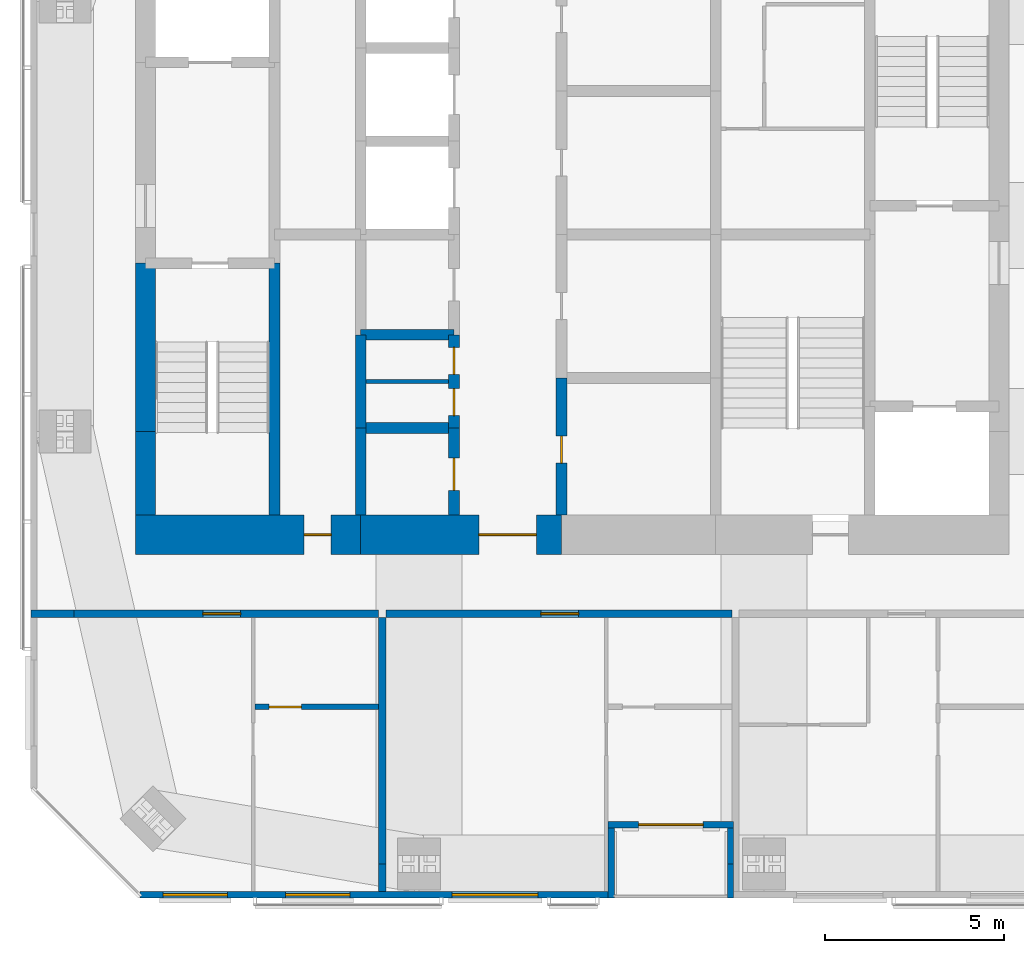
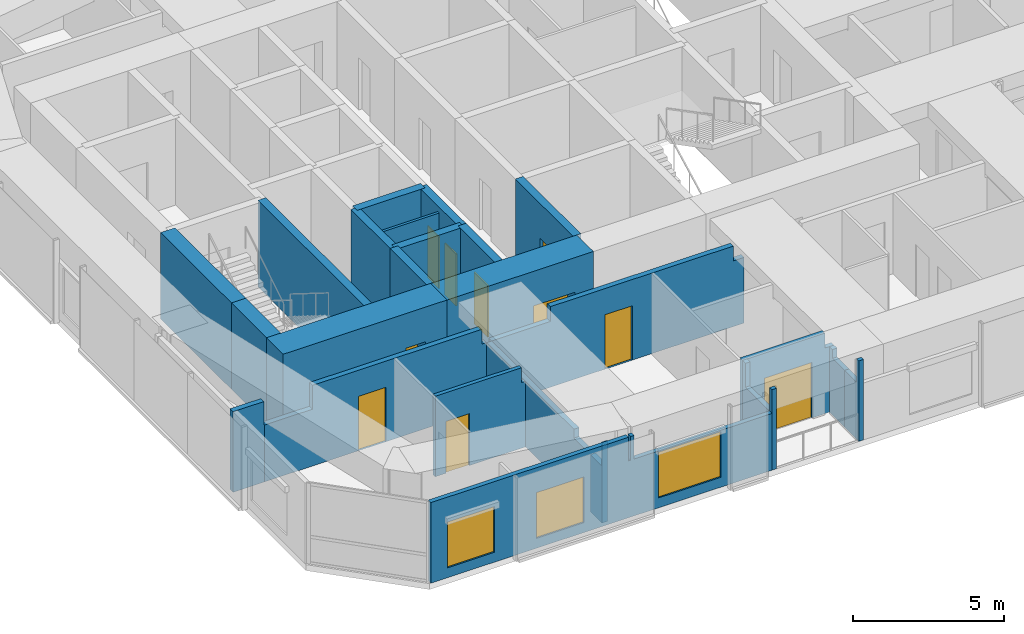
# One storey, part 14 of 20: 24 walls, 10 doors, 3 windows, 13 openings.
"""IFC4 building model written with IfcOpenShell, lengths in metres."""

from ifc_helpers import new_model, si_unit, direction, frame, frame_2d, origin, place, context, subcontext, project, spatial, polyline, rectangle, outline, extrude, material, layer, layer_set, constituent, constituent_set, type_object, element, fill, save


model = new_model("IFC4")

# Units and contexts
model_context = context("Model", 3, precision=1e-05, world=origin(), true_north=direction((0.0, 1.0)))
body_context = subcontext(model_context, "Body", "Model", "MODEL_VIEW")
ifc_project = project(units=[si_unit("LENGTHUNIT", "METRE"), si_unit("AREAUNIT", "SQUARE_METRE"), si_unit("VOLUMEUNIT", "CUBIC_METRE"), si_unit("PLANEANGLEUNIT", "RADIAN"), si_unit("MASSUNIT", "GRAM", prefix="KILO")], contexts=[model_context])

# Site, building, storey
site_placement = place(None, origin())
site = spatial("IfcSite", under=ifc_project, at=site_placement, CompositionType="ELEMENT")
building_placement = place(site_placement, origin())
building = spatial("IfcBuilding", under=site, at=building_placement, Name="Jalousie Tower", CompositionType="ELEMENT")
storey_placement = place(building_placement, frame((0.0, 0.0, 242.449951171875)))
storey = spatial("IfcBuildingStorey", under=building, at=storey_placement, Name="L66", CompositionType="ELEMENT", Elevation=242.449951171875)

# Wall, opening, door
ifc_material_1 = material(Name="Concrete block ASTM C90", Category="concrete")
ifc_constituent_1 = constituent(ifc_material_1, Name="Body")
ifc_material_2 = material(Name="Render")
ifc_constituent_2 = constituent(ifc_material_2, Name="Finish")
ifc_constituent_set_1 = constituent_set(constituents=[ifc_constituent_1, ifc_constituent_2])
wall_type_1 = type_object("IfcWallType", Name="BATHROOM WALL 150", PredefinedType="PLUMBINGWALL", material=ifc_constituent_set_1)
wall_1_placement = place(storey_placement, frame((23.050048828125, 5.324951171875, 0.0), z_axis=(0.0, 0.0, 1.0), x_axis=(1.0, 0.0, 0.0)))
wall_1 = element("IfcWall", 1, at=wall_1_placement, inside=storey, type_object=wall_type_1, Name="Bathroom Wall 150 L66", PredefinedType="PLUMBINGWALL", context=body_context, shape_type="SweptSolid", body=[
    extrude(outline(polyline([(0.0, 0.0), (3.449951171875, 0.0), (3.449951171875, 3.260009765625), (3.449951171875, 2.66015625), (3.2900390625, 2.66015625), (3.2900390625, 3.260009765625), (0.0, 3.260009765625), (0.0, 0.0)])), frame((0.0, 0.074951171875, 0.0), z_axis=(0.0, -1.0, 0.0), x_axis=(1.0, 0.0, 0.0)), (0.0, 0.0, 1.0), 0.14990234375),
])
opening_1_placement = place(wall_1_placement, frame((0.39990234375, 0.0, 0.0)))
opening_1 = element("IfcOpeningElement", 2, at=opening_1_placement, cuts=wall_1, Name="Opening D3", PredefinedType="OPENING", context=body_context, shape_type="SweptSolid", body=[
    extrude(rectangle(XDim=0.89990234375, YDim=2.10009765625, at=frame_2d((0.449951171875, 1.050048828125))), frame((0.0, 0.0849609375, 0.0), z_axis=(0.0, -1.0, 0.0), x_axis=(1.0, 0.0, 0.0)), (0.0, 0.0, 1.0), 0.169921875),
])
ifc_material_3 = material(Name="Timber door", Category="wood")
door_type_1 = type_object("IfcDoorType", Name="BATHROOM DOOR 900", OperationType="SINGLE_SWING_LEFT", PredefinedType="DOOR", material=ifc_material_3)
door_1_placement = place(opening_1_placement, origin())
door_1 = element("IfcDoor", 3, at=door_1_placement, inside=storey, type_object=door_type_1, Name="Apartment 6601 bedroom 1 bathroom door", OperationType="SINGLE_SWING_LEFT", OverallHeight=2.10009765625, OverallWidth=0.89990234375, PredefinedType="DOOR", context=body_context, shape_type="SweptSolid", body=[
    extrude(rectangle(XDim=0.89990234375, YDim=2.10009765625, at=frame_2d((0.449951171875, 1.050048828125))), frame((0.0, 0.02490234375, 0.0), z_axis=(0.0, -1.0, 0.0), x_axis=(1.0, 0.0, 0.0)), (0.0, 0.0, 1.0), 0.050048828125),
])
fill(opening_1, door_1)

ifc_material_4 = material(Name="Concrete f'c 120 MPa", Category="concrete")
ifc_layer_1 = layer(ifc_material_4, 1.10009765625)
ifc_layer_set_1 = layer_set([ifc_layer_1], Name="Concrete f'c 120 MPa")
wall_type_2 = type_object("IfcWallType", Name="CORE WALL 1100", PredefinedType="SHEAR", material=ifc_layer_set_1)
wall_2_placement = place(storey_placement, frame((19.72509765625, 10.125, 0.0), z_axis=(0.0, 0.0, 1.0), x_axis=(1.0, 0.0, 0.0)))
wall_2 = element("IfcWall", 4, at=wall_2_placement, inside=storey, type_object=wall_type_2, Name="Core wall SA L66", PredefinedType="SHEAR", context=body_context, shape_type="SweptSolid", body=[
    extrude(rectangle(XDim=6.27490234375, YDim=1.10009765625, at=frame_2d((3.137451171875, 0.0))), origin(), (0.0, 0.0, 1.0), 3.5),
])
opening_2_placement = place(wall_2_placement, frame((4.699951171875, 0.0, 0.0)))
opening_2 = element("IfcOpeningElement", 5, at=opening_2_placement, cuts=wall_2, Name="Opening D16", PredefinedType="OPENING", context=body_context, shape_type="SweptSolid", body=[
    extrude(rectangle(XDim=0.75, YDim=2.10009765625, at=frame_2d((0.375, 1.050048828125))), frame((0.0, 0.56005859375, 0.0), z_axis=(0.0, -1.0, 0.0), x_axis=(1.0, 0.0, 0.0)), (0.0, 0.0, 1.0), 1.1201171875),
])
ifc_material_5 = material(Name="Steel fire door", Category="steel")
door_type_2 = type_object("IfcDoorType", Name="RISER DOOR 750", OperationType="SINGLE_SWING_LEFT", PredefinedType="DOOR", material=ifc_material_5)
door_2_placement = place(opening_2_placement, origin())
door_2 = element("IfcDoor", 6, at=door_2_placement, inside=storey, type_object=door_type_2, Name="South riser door", OperationType="SINGLE_SWING_RIGHT", OverallHeight=2.10009765625, OverallWidth=0.75, PredefinedType="DOOR", context=body_context, shape_type="SweptSolid", body=[
    extrude(rectangle(XDim=0.75, YDim=2.10009765625, at=frame_2d((0.375, 1.050048828125))), frame((0.0, 0.02490234375, 0.0), z_axis=(0.0, -1.0, 0.0), x_axis=(1.0, 0.0, 0.0)), (0.0, 0.0, 1.0), 0.050048828125),
])
fill(opening_2, door_2)

wall_3_placement = place(storey_placement, frame((26.0, 10.125, 0.0), z_axis=(0.0, 0.0, 1.0), x_axis=(1.0, 0.0, 0.0)))
wall_3 = element("IfcWall", 7, at=wall_3_placement, inside=storey, type_object=wall_type_2, Name="Core wall SB L66", PredefinedType="SHEAR", context=body_context, shape_type="SweptSolid", body=[
    extrude(rectangle(XDim=5.60009765625, YDim=1.10009765625, at=frame_2d((2.800048828125, 0.0))), origin(), (0.0, 0.0, 1.0), 3.5),
])
opening_3_placement = place(wall_3_placement, frame((3.300048828125, 0.0, 0.0)))
opening_3 = element("IfcOpeningElement", 8, at=opening_3_placement, cuts=wall_3, Name="Opening D15", PredefinedType="OPENING", context=body_context, shape_type="SweptSolid", body=[
    extrude(rectangle(XDim=1.60009765625, YDim=2.10009765625, at=frame_2d((0.800048828125, 1.050048828125))), frame((0.0, 0.56005859375, 0.0), z_axis=(0.0, -1.0, 0.0), x_axis=(1.0, 0.0, 0.0)), (0.0, 0.0, 1.0), 1.1201171875),
])
ifc_material_6 = material(Name="Steel fire door", Category="steel")
door_type_3 = type_object("IfcDoorType", Name="LIFT LOBBY DOOR 1600", OperationType="DOUBLE_DOOR_SINGLE_SWING", PredefinedType="DOOR", material=ifc_material_6)
door_3_placement = place(opening_3_placement, origin())
door_3 = element("IfcDoor", 9, at=door_3_placement, inside=storey, type_object=door_type_3, Name="Lift lobby south door", OperationType="DOUBLE_DOOR_SINGLE_SWING", OverallHeight=2.10009765625, OverallWidth=1.60009765625, PredefinedType="DOOR", context=body_context, shape_type="SweptSolid", body=[
    extrude(rectangle(XDim=1.60009765625, YDim=2.10009765625, at=frame_2d((0.800048828125, 1.050048828125))), frame((0.0, 0.02490234375, 0.0), z_axis=(0.0, -1.0, 0.0), x_axis=(1.0, 0.0, 0.0)), (0.0, 0.0, 1.0), 0.050048828125),
])
fill(opening_3, door_3)

# Walls
ifc_material_7 = material(Name="Concrete f'c 120 MPa", Category="concrete")
ifc_layer_2 = layer(ifc_material_7, 0.300048828125)
ifc_layer_set_2 = layer_set([ifc_layer_2], Name="Concrete f'c 120 MPa")
wall_type_3 = type_object("IfcWallType", Name="CORE WALL 300", PredefinedType="SHEAR", material=ifc_layer_set_2)
wall_4_placement = place(storey_placement, frame((23.60009765625, 10.675048828125, 0.0), z_axis=(0.0, 0.0, 1.0), x_axis=(0.0, 1.0, 0.0)))
element("IfcWall", 10, at=wall_4_placement, inside=storey, type_object=wall_type_3, Name="Core wall X23.6A L66", PredefinedType="SHEAR", context=body_context, shape_type="SweptSolid", body=[
    extrude(rectangle(XDim=7.02490234375, YDim=0.300048828125, at=frame_2d((3.512451171875, 0.0))), origin(), (0.0, 0.0, 1.0), 3.5),
])
wall_5_placement = place(storey_placement, frame((26.0, 10.675048828125, 0.0), z_axis=(0.0, 0.0, 1.0), x_axis=(0.0, 1.0, 0.0)))
element("IfcWall", 11, at=wall_5_placement, inside=storey, type_object=wall_type_3, Name="Core wall X26A L66", PredefinedType="SHEAR", context=body_context, shape_type="SweptSolid", body=[
    extrude(rectangle(XDim=2.425048828125, YDim=0.300048828125, at=frame_2d((1.21240234375, 0.0))), origin(), (0.0, 0.0, 1.0), 3.5),
])
wall_6_placement = place(storey_placement, frame((26.0, 13.10009765625, 0.0), z_axis=(0.0, 0.0, 1.0), x_axis=(0.0, 1.0, 0.0)))
element("IfcWall", 12, at=wall_6_placement, inside=storey, type_object=wall_type_3, Name="Core wall X26B L66", PredefinedType="SHEAR", context=body_context, shape_type="SweptSolid", body=[
    extrude(rectangle(XDim=2.599853515625, YDim=0.300048828125, at=frame_2d((1.2998046875, 0.0))), origin(), (0.0, 0.0, 1.0), 3.5),
])

# Wall, opening, door
wall_7_placement = place(storey_placement, frame((28.60009765625, 10.675048828125, 0.0), z_axis=(0.0, 0.0, 1.0), x_axis=(0.0, 1.0, 0.0)))
wall_7 = element("IfcWall", 13, at=wall_7_placement, inside=storey, type_object=wall_type_3, Name="Core wall X28.6A L66", PredefinedType="SHEAR", context=body_context, shape_type="SweptSolid", body=[
    extrude(rectangle(XDim=2.425048828125, YDim=0.300048828125, at=frame_2d((1.21240234375, 0.0))), origin(), (0.0, 0.0, 1.0), 3.5),
])
opening_4_placement = place(wall_7_placement, frame((0.6875, 0.0, 0.0)))
opening_4 = element("IfcOpeningElement", 14, at=opening_4_placement, cuts=wall_7, Name="Opening D24", PredefinedType="OPENING", context=body_context, shape_type="SweptSolid", body=[
    extrude(rectangle(XDim=0.89990234375, YDim=2.10009765625, at=frame_2d((0.449951171875, 1.050048828125))), frame((0.0, 0.159912109375, 0.0), z_axis=(0.0, -1.0, 0.0), x_axis=(1.0, 0.0, 0.0)), (0.0, 0.0, 1.0), 0.320068359375),
])
ifc_material_8 = material(Name="Steel fire door", Category="steel")
door_type_4 = type_object("IfcDoorType", Name="CORE ROOM DOOR 900", OperationType="SINGLE_SWING_LEFT", PredefinedType="DOOR", material=ifc_material_8)
door_4_placement = place(opening_4_placement, origin())
door_4 = element("IfcDoor", 15, at=door_4_placement, inside=storey, type_object=door_type_4, Name="Linen store door", OperationType="SINGLE_SWING_RIGHT", OverallHeight=2.10009765625, OverallWidth=0.89990234375, PredefinedType="DOOR", context=body_context, shape_type="SweptSolid", body=[
    extrude(rectangle(XDim=0.89990234375, YDim=2.10009765625, at=frame_2d((0.449951171875, 1.050048828125))), frame((0.0, 0.02490234375, 0.0), z_axis=(0.0, -1.0, 0.0), x_axis=(1.0, 0.0, 0.0)), (0.0, 0.0, 1.0), 0.050048828125),
])
fill(opening_4, door_4)

# Wall, openings, doors
wall_8_placement = place(storey_placement, frame((28.60009765625, 13.10009765625, 0.0), z_axis=(0.0, 0.0, 1.0), x_axis=(0.0, 1.0, 0.0)))
wall_8 = element("IfcWall", 16, at=wall_8_placement, inside=storey, type_object=wall_type_3, Name="Core wall X28.6B L66", PredefinedType="SHEAR", context=body_context, shape_type="SweptSolid", body=[
    extrude(rectangle(XDim=2.599853515625, YDim=0.300048828125, at=frame_2d((1.2998046875, 0.0))), origin(), (0.0, 0.0, 1.0), 3.5),
])
opening_5_placement = place(wall_8_placement, frame((0.35009765625, 0.0, 0.0)))
opening_5 = element("IfcOpeningElement", 17, at=opening_5_placement, cuts=wall_8, Name="Opening D27", PredefinedType="OPENING", context=body_context, shape_type="SweptSolid", body=[
    extrude(rectangle(XDim=0.75, YDim=2.10009765625, at=frame_2d((0.375, 1.050048828125))), frame((0.0, 0.159912109375, 0.0), z_axis=(0.0, -1.0, 0.0), x_axis=(1.0, 0.0, 0.0)), (0.0, 0.0, 1.0), 0.320068359375),
])
opening_6_placement = place(wall_8_placement, frame((1.5, 0.0, 0.0)))
opening_6 = element("IfcOpeningElement", 18, at=opening_6_placement, cuts=wall_8, Name="Opening D27", PredefinedType="OPENING", context=body_context, shape_type="SweptSolid", body=[
    extrude(rectangle(XDim=0.75, YDim=2.10009765625, at=frame_2d((0.375, 1.050048828125))), frame((0.0, 0.159912109375, 0.0), z_axis=(0.0, -1.0, 0.0), x_axis=(1.0, 0.0, 0.0)), (0.0, 0.0, 1.0), 0.320068359375),
])
ifc_material_9 = material(Name="Steel fire door", Category="steel")
door_type_5 = type_object("IfcDoorType", Name="CORE ROOM DOOR 750", OperationType="SINGLE_SWING_LEFT", PredefinedType="DOOR", material=ifc_material_9)
door_5_placement = place(opening_5_placement, origin())
door_5 = element("IfcDoor", 19, at=door_5_placement, inside=storey, type_object=door_type_5, Name="Housekeeping store door", OperationType="SINGLE_SWING_RIGHT", OverallHeight=2.10009765625, OverallWidth=0.75, PredefinedType="DOOR", context=body_context, shape_type="SweptSolid", body=[
    extrude(rectangle(XDim=0.75, YDim=2.10009765625, at=frame_2d((0.375, 1.050048828125))), frame((0.0, 0.02490234375, 0.0), z_axis=(0.0, -1.0, 0.0), x_axis=(1.0, 0.0, 0.0)), (0.0, 0.0, 1.0), 0.050048828125),
])
fill(opening_5, door_5)
door_6_placement = place(opening_6_placement, origin())
door_6 = element("IfcDoor", 20, at=door_6_placement, inside=storey, type_object=door_type_5, Name="Staff WC door", OperationType="SINGLE_SWING_LEFT", OverallHeight=2.10009765625, OverallWidth=0.75, PredefinedType="DOOR", context=body_context, shape_type="SweptSolid", body=[
    extrude(rectangle(XDim=0.75, YDim=2.10009765625, at=frame_2d((0.375, 1.050048828125))), frame((0.0, 0.02490234375, 0.0), z_axis=(0.0, -1.0, 0.0), x_axis=(1.0, 0.0, 0.0)), (0.0, 0.0, 1.0), 0.050048828125),
])
fill(opening_6, door_6)

# Wall, opening, door
wall_9_placement = place(storey_placement, frame((31.60009765625, 10.675048828125, 0.0), z_axis=(0.0, 0.0, 1.0), x_axis=(0.0, 1.0, 0.0)))
wall_9 = element("IfcWall", 21, at=wall_9_placement, inside=storey, type_object=wall_type_3, Name="Core wall X31.6A L66", PredefinedType="SHEAR", context=body_context, shape_type="SweptSolid", body=[
    extrude(rectangle(XDim=3.824951171875, YDim=0.300048828125, at=frame_2d((1.91259765625, 0.0))), origin(), (0.0, 0.0, 1.0), 3.5),
])
opening_7_placement = place(wall_9_placement, frame((1.449951171875, 0.0, 0.0)))
opening_7 = element("IfcOpeningElement", 22, at=opening_7_placement, cuts=wall_9, Name="Opening D16", PredefinedType="OPENING", context=body_context, shape_type="SweptSolid", body=[
    extrude(rectangle(XDim=0.75, YDim=2.10009765625, at=frame_2d((0.375, 1.050048828125))), frame((0.0, 0.159912109375, 0.0), z_axis=(0.0, -1.0, 0.0), x_axis=(1.0, 0.0, 0.0)), (0.0, 0.0, 1.0), 0.320068359375),
])
door_7_placement = place(opening_7_placement, frame((0.75, 0.0, 0.0), z_axis=(0.0, 0.0, 1.0), x_axis=(-1.0, 0.0, 0.0)))
door_7 = element("IfcDoor", 23, at=door_7_placement, inside=storey, type_object=door_type_2, Name="Refuse Room door", OperationType="SINGLE_SWING_RIGHT", OverallHeight=2.10009765625, OverallWidth=0.75, PredefinedType="DOOR", context=body_context, shape_type="SweptSolid", body=[
    extrude(rectangle(XDim=0.75, YDim=2.10009765625, at=frame_2d((0.375, 1.050048828125))), frame((0.0, 0.02490234375, 0.0), z_axis=(0.0, -1.0, 0.0), x_axis=(1.0, 0.0, 0.0)), (0.0, 0.0, 1.0), 0.050048828125),
])
fill(opening_7, door_7)

# Walls
for number, where, z_axis, x_axis, name in (
    (24, (26.0, 13.10009765625, 0.0), (0.0, 0.0, 1.0), (1.0, 0.0, 0.0), "Core wall Y26-13.1 L66"),
    (25, (26.0, 15.699951171875, 0.0), (0.0, 0.0, 1.0), (1.0, 0.0, 0.0), "Core wall Y26-15.7 L66"),
):
    element("IfcWall", number, at=place(storey_placement, frame(where, z_axis=z_axis, x_axis=x_axis)), inside=storey, type_object=wall_type_3, Name=name, PredefinedType="SHEAR", context=body_context, shape_type="SweptSolid", body=[
        extrude(rectangle(XDim=2.60009765625, YDim=0.300048828125, at=frame_2d((1.300048828125, 0.0))), origin(), (0.0, 0.0, 1.0), 3.5),
    ])
ifc_material_10 = material(Name="Concrete f'c 120 MPa", Category="concrete")
ifc_layer_3 = layer(ifc_material_10, 0.550048828125)
ifc_layer_set_3 = layer_set([ifc_layer_3], Name="Concrete f'c 120 MPa")
wall_type_4 = type_object("IfcWallType", Name="CORE WALL 550", PredefinedType="SHEAR", material=ifc_layer_set_3)
wall_10_placement = place(storey_placement, frame((20.0, 17.699951171875, 0.0), z_axis=(0.0, 0.0, 1.0), x_axis=(0.0, -1.0, 0.0)))
element("IfcWall", 26, at=wall_10_placement, inside=storey, type_object=wall_type_4, Name="Core wall WC L66", PredefinedType="SHEAR", context=body_context, shape_type="SweptSolid", body=[
    extrude(rectangle(XDim=4.699951171875, YDim=0.550048828125, at=frame_2d((2.35009765625, 0.0))), origin(), (0.0, 0.0, 1.0), 3.5),
])
wall_11_placement = place(storey_placement, frame((20.0, 13.0, 0.0), z_axis=(0.0, 0.0, 1.0), x_axis=(0.0, -1.0, 0.0)))
element("IfcWall", 27, at=wall_11_placement, inside=storey, type_object=wall_type_4, Name="Core wall WD L66", PredefinedType="SHEAR", context=body_context, shape_type="SweptSolid", body=[
    extrude(rectangle(XDim=2.324951171875, YDim=0.550048828125, at=frame_2d((1.16259765625, 0.0))), origin(), (0.0, 0.0, 1.0), 3.5),
])

# Wall, opening, door
ifc_material_11 = material(Name="Concrete block ASTM C90", Category="concrete")
ifc_constituent_3 = constituent(ifc_material_11, Name="Body")
ifc_material_12 = material(Name="Render")
ifc_constituent_4 = constituent(ifc_material_12, Name="Finish")
ifc_constituent_set_2 = constituent_set(constituents=[ifc_constituent_3, ifc_constituent_4])
wall_type_5 = type_object("IfcWallType", Name="CORRIDOR WALL 200", PredefinedType="PARTITIONING", material=ifc_constituent_set_2)
wall_12_placement = place(storey_placement, frame((18.0, 7.925048828125, 0.0), z_axis=(0.0, 0.0, 1.0), x_axis=(1.0, 0.0, 0.0)))
wall_12 = element("IfcWall", 28, at=wall_12_placement, inside=storey, type_object=wall_type_5, Name="Corridor Wall 200 L66", PredefinedType="PARTITIONING", context=body_context, shape_type="SweptSolid", body=[
    extrude(outline(polyline([(0.0, 0.0), (8.5, 0.0), (8.5, 3.260009765625), (8.5, 2.66015625), (8.31494140625, 2.66015625), (8.31494140625, 3.260009765625), (1.838623046875, 3.260009765625), (1.838623046875, 2.300048828125), (0.0, 2.300048828125), (0.0, 3.260009765625), (0.0, 0.0)])), frame((0.0, 0.10009765625, 0.0), z_axis=(0.0, -1.0, 0.0), x_axis=(1.0, 0.0, 0.0)), (0.0, 0.0, 1.0), 0.199951171875),
])
opening_8_placement = place(wall_12_placement, frame((3.60009765625, 0.0, 0.0)))
opening_8 = element("IfcOpeningElement", 29, at=opening_8_placement, cuts=wall_12, Name="Opening D1", PredefinedType="OPENING", context=body_context, shape_type="SweptSolid", body=[
    extrude(rectangle(XDim=1.050048828125, YDim=2.199951171875, at=frame_2d((0.52490234375, 1.10009765625))), frame((0.0, 0.10986328125, 0.0), z_axis=(0.0, -1.0, 0.0), x_axis=(1.0, 0.0, 0.0)), (0.0, 0.0, 1.0), 0.219970703125),
])
ifc_material_13 = material(Name="Timber fire door", Category="wood")
door_type_6 = type_object("IfcDoorType", Name="APARTMENT ENTRANCE DOOR 1050", OperationType="SINGLE_SWING_LEFT", PredefinedType="DOOR", material=ifc_material_13)
door_8_placement = place(opening_8_placement, frame((1.050048828125, 0.0, 0.0), z_axis=(0.0, 0.0, 1.0), x_axis=(-1.0, 0.0, 0.0)))
door_8 = element("IfcDoor", 30, at=door_8_placement, inside=storey, type_object=door_type_6, Name="Apartment 6601 entrance", OperationType="SINGLE_SWING_LEFT", OverallHeight=2.199951171875, OverallWidth=1.050048828125, PredefinedType="DOOR", context=body_context, shape_type="SweptSolid", body=[
    extrude(rectangle(XDim=1.050048828125, YDim=2.199951171875, at=frame_2d((0.52490234375, 1.10009765625))), frame((0.0, 0.02490234375, 0.0), z_axis=(0.0, -1.0, 0.0), x_axis=(1.0, 0.0, 0.0)), (0.0, 0.0, 1.0), 0.050048828125),
])
fill(opening_8, door_8)

wall_13_placement = place(storey_placement, frame((26.699951171875, 7.925048828125, 0.0), z_axis=(0.0, 0.0, 1.0), x_axis=(1.0, 0.0, 0.0)))
wall_13 = element("IfcWall", 31, at=wall_13_placement, inside=storey, type_object=wall_type_5, Name="Corridor Wall 200 L66", PredefinedType="PARTITIONING", context=body_context, shape_type="SweptSolid", body=[
    extrude(outline(polyline([(0.0, 0.0), (9.650146484375, 0.0), (9.64990234375, 3.260009765625), (9.64990234375, 2.66015625), (9.239990234375, 2.66015625), (9.239990234375, 3.260009765625), (2.235107421875, 3.260009765625), (2.235107421875, 2.66015625), (0.0, 2.66015625), (0.0, 3.260009765625), (0.0, 0.0)])), frame((0.0, 0.10009765625, 0.0), z_axis=(0.0, -1.0, 0.0), x_axis=(1.0, 0.0, 0.0)), (0.0, 0.0, 1.0), 0.199951171875),
])
opening_9_placement = place(wall_13_placement, frame((4.324951171875, 0.0, 0.0)))
opening_9 = element("IfcOpeningElement", 32, at=opening_9_placement, cuts=wall_13, Name="Opening D1", PredefinedType="OPENING", context=body_context, shape_type="SweptSolid", body=[
    extrude(rectangle(XDim=1.050048828125, YDim=2.199951171875, at=frame_2d((0.52490234375, 1.10009765625))), frame((0.0, 0.10986328125, 0.0), z_axis=(0.0, -1.0, 0.0), x_axis=(1.0, 0.0, 0.0)), (0.0, 0.0, 1.0), 0.219970703125),
])
door_9_placement = place(opening_9_placement, frame((1.050048828125, 0.0, 0.0), z_axis=(0.0, 0.0, 1.0), x_axis=(-1.0, 0.0, 0.0)))
door_9 = element("IfcDoor", 33, at=door_9_placement, inside=storey, type_object=door_type_6, Name="Apartment 6602 entrance", OperationType="SINGLE_SWING_LEFT", OverallHeight=2.199951171875, OverallWidth=1.050048828125, PredefinedType="DOOR", context=body_context, shape_type="SweptSolid", body=[
    extrude(rectangle(XDim=1.050048828125, YDim=2.199951171875, at=frame_2d((0.52490234375, 1.10009765625))), frame((0.0, 0.02490234375, 0.0), z_axis=(0.0, -1.0, 0.0), x_axis=(1.0, 0.0, 0.0)), (0.0, 0.0, 1.0), 0.050048828125),
])
fill(opening_9, door_9)

# Wall, openings, windows
ifc_material_14 = material(Name="Concrete f'c 40 MPa", Category="concrete")
ifc_constituent_5 = constituent(ifc_material_14, Name="Body")
ifc_material_15 = material(Name="Render, pastel sky blue")
ifc_constituent_6 = constituent(ifc_material_15, Name="Finish")
ifc_constituent_set_3 = constituent_set(constituents=[ifc_constituent_5, ifc_constituent_6])
wall_type_6 = type_object("IfcWallType", Name="EXTERNAL WALL 175 SKY BLUE RENDER", PredefinedType="SOLIDWALL", material=ifc_constituent_set_3)
wall_14_placement = place(storey_placement, frame((19.851318359375, 0.08740234375, 0.0), z_axis=(0.0, 0.0, 1.0), x_axis=(1.0, 0.0, 0.0)))
wall_14 = element("IfcWall", 34, at=wall_14_placement, inside=storey, type_object=wall_type_6, Name="External Wall 175 Sky Blue Render L66", PredefinedType="SOLIDWALL", context=body_context, shape_type="SweptSolid", body=[
    extrude(outline(polyline([(0.0, 0.0), (13.048583984375, 0.0), (13.048583984375, 2.300048828125), (7.773681640625, 2.300048828125), (7.773681640625, 3.260009765625), (7.642333984375, 3.260009765625), (7.642333984375, 2.300048828125), (7.558837890625, 2.300048828125), (7.558837890625, 3.260009765625), (0.0, 3.260009765625), (0.0, 0.0)])), frame((0.0, 0.08740234375, 0.0), z_axis=(0.0, -1.0, 0.0), x_axis=(1.0, 0.0, 0.0)), (0.0, 0.0, 1.0), 0.175048828125),
])
opening_10_placement = place(wall_14_placement, frame((0.636474609375, 0.0, 0.39990234375)))
opening_10 = element("IfcOpeningElement", 35, at=opening_10_placement, cuts=wall_14, Name="Opening W-BED185", PredefinedType="OPENING", context=body_context, shape_type="SweptSolid", body=[
    extrude(rectangle(XDim=1.800048828125, YDim=1.85009765625, at=frame_2d((0.89990234375, 0.925048828125))), frame((0.0, 0.097412109375, 0.0), z_axis=(0.0, -1.0, 0.0), x_axis=(1.0, 0.0, 0.0)), (0.0, 0.0, 1.0), 0.195068359375),
])
opening_11_placement = place(wall_14_placement, frame((4.048583984375, 0.0, 0.39990234375)))
opening_11 = element("IfcOpeningElement", 36, at=opening_11_placement, cuts=wall_14, Name="Opening W-BED185", PredefinedType="OPENING", context=body_context, shape_type="SweptSolid", body=[
    extrude(rectangle(XDim=1.800048828125, YDim=1.85009765625, at=frame_2d((0.89990234375, 0.925048828125))), frame((0.0, 0.097412109375, 0.0), z_axis=(0.0, -1.0, 0.0), x_axis=(1.0, 0.0, 0.0)), (0.0, 0.0, 1.0), 0.195068359375),
])
opening_12_placement = place(wall_14_placement, frame((8.69873046875, 0.0, 0.39990234375)))
opening_12 = element("IfcOpeningElement", 37, at=opening_12_placement, cuts=wall_14, Name="Opening W-LIV185", PredefinedType="OPENING", context=body_context, shape_type="SweptSolid", body=[
    extrude(rectangle(XDim=2.39990234375, YDim=1.85009765625, at=frame_2d((1.199951171875, 0.925048828125))), frame((0.0, 0.097412109375, 0.0), z_axis=(0.0, -1.0, 0.0), x_axis=(1.0, 0.0, 0.0)), (0.0, 0.0, 1.0), 0.195068359375),
])
ifc_material_16 = material(Name="Aluminium frame, impact-rated glazing", Category="aluminium")
window_type_1 = type_object("IfcWindowType", Name="WINDOW BED 1800x1850", PartitioningType="SINGLE_PANEL", PredefinedType="WINDOW", material=ifc_material_16)
window_1_placement = place(opening_10_placement, origin())
window_1 = element("IfcWindow", 38, at=window_1_placement, inside=storey, type_object=window_type_1, Name="Apartment 6601 living, dining and kitchen window", OverallHeight=1.85009765625, OverallWidth=1.800048828125, PartitioningType="SINGLE_PANEL", PredefinedType="WINDOW", context=body_context, shape_type="SweptSolid", body=[
    extrude(rectangle(XDim=1.800048828125, YDim=1.85009765625, at=frame_2d((0.89990234375, 0.925048828125))), frame((0.0, 0.030029296875, 0.0), z_axis=(0.0, -1.0, 0.0), x_axis=(1.0, 0.0, 0.0)), (0.0, 0.0, 1.0), 0.06005859375),
])
fill(opening_10, window_1)
window_2_placement = place(opening_11_placement, origin())
window_2 = element("IfcWindow", 39, at=window_2_placement, inside=storey, type_object=window_type_1, Name="Apartment 6601 bedroom 1 window", OverallHeight=1.85009765625, OverallWidth=1.800048828125, PartitioningType="SINGLE_PANEL", PredefinedType="WINDOW", context=body_context, shape_type="SweptSolid", body=[
    extrude(rectangle(XDim=1.800048828125, YDim=1.85009765625, at=frame_2d((0.89990234375, 0.925048828125))), frame((0.0, 0.030029296875, 0.0), z_axis=(0.0, -1.0, 0.0), x_axis=(1.0, 0.0, 0.0)), (0.0, 0.0, 1.0), 0.06005859375),
])
fill(opening_11, window_2)
ifc_material_17 = material(Name="Aluminium frame, impact-rated glazing", Category="aluminium")
window_type_2 = type_object("IfcWindowType", Name="WINDOW LIV 2400x1850", PartitioningType="DOUBLE_PANEL_VERTICAL", PredefinedType="WINDOW", material=ifc_material_17)
window_3_placement = place(opening_12_placement, origin())
window_3 = element("IfcWindow", 40, at=window_3_placement, inside=storey, type_object=window_type_2, Name="Apartment 6602 living, dining and kitchen window", OverallHeight=1.85009765625, OverallWidth=2.39990234375, PartitioningType="SINGLE_PANEL", PredefinedType="WINDOW", context=body_context, shape_type="SweptSolid", body=[
    extrude(rectangle(XDim=2.39990234375, YDim=1.85009765625, at=frame_2d((1.199951171875, 0.925048828125))), frame((0.0, 0.030029296875, 0.0), z_axis=(0.0, -1.0, 0.0), x_axis=(1.0, 0.0, 0.0)), (0.0, 0.0, 1.0), 0.06005859375),
])
fill(opening_12, window_3)

# Wall, opening, door
wall_15_placement = place(storey_placement, frame((32.89990234375, 2.03759765625, 0.0), z_axis=(0.0, 0.0, 1.0), x_axis=(1.0, 0.0, 0.0)))
wall_15 = element("IfcWall", 41, at=wall_15_placement, inside=storey, type_object=wall_type_6, Name="External Wall 175 Sky Blue Render L66", PredefinedType="SOLIDWALL", context=body_context, shape_type="SweptSolid", body=[
    extrude(outline(polyline([(0.0, 0.0), (3.5, 0.0), (3.5, 2.66015625), (3.14990234375, 2.66015625), (3.14990234375, 3.260009765625), (0.0, 3.260009765625), (0.0, 0.0)])), frame((0.0, 0.08740234375, 0.0), z_axis=(0.0, -1.0, 0.0), x_axis=(1.0, 0.0, 0.0)), (0.0, 0.0, 1.0), 0.175048828125),
])
opening_13_placement = place(wall_15_placement, frame((0.85009765625, 0.0, 0.0)))
opening_13 = element("IfcOpeningElement", 42, at=opening_13_placement, cuts=wall_15, Name="Opening D-BAL22", PredefinedType="OPENING", context=body_context, shape_type="SweptSolid", body=[
    extrude(rectangle(XDim=1.800048828125, YDim=2.25, at=frame_2d((0.89990234375, 1.125))), frame((0.0, 0.097412109375, 0.0), z_axis=(0.0, -1.0, 0.0), x_axis=(1.0, 0.0, 0.0)), (0.0, 0.0, 1.0), 0.195068359375),
])
ifc_material_18 = material(Name="Aluminium frame, impact-rated glazing", Category="aluminium")
door_type_7 = type_object("IfcDoorType", Name="BALCONY DOOR 1800x2250", OperationType="SLIDING_TO_LEFT", PredefinedType="DOOR", material=ifc_material_18)
door_10_placement = place(opening_13_placement, origin())
door_10 = element("IfcDoor", 43, at=door_10_placement, inside=storey, type_object=door_type_7, Name="Apartment 6602 bedroom 1 loggia door", OperationType="SLIDING_TO_LEFT", OverallHeight=2.25, OverallWidth=1.800048828125, PredefinedType="DOOR", context=body_context, shape_type="SweptSolid", body=[
    extrude(rectangle(XDim=1.800048828125, YDim=2.25, at=frame_2d((0.89990234375, 1.125))), frame((0.0, 0.02490234375, 0.0), z_axis=(0.0, -1.0, 0.0), x_axis=(1.0, 0.0, 0.0)), (0.0, 0.0, 1.0), 0.050048828125),
])
fill(opening_13, door_10)

# Walls
wall_16_placement = place(storey_placement, frame((32.987548828125, 0.0, 0.0), z_axis=(0.0, 0.0, 1.0), x_axis=(0.0, 1.0, 0.0)))
element("IfcWall", 44, at=wall_16_placement, inside=storey, type_object=wall_type_6, Name="External Wall 175 Sky Blue Render L66", PredefinedType="SOLIDWALL", context=body_context, shape_type="SweptSolid", body=[
    extrude(outline(polyline([(0.0, 0.0), (1.949951171875, 0.0), (1.949951171875, 3.260009765625), (1.75, 3.260009765625), (1.75, 2.300048828125), (0.14990234375, 2.300048828125), (0.14990234375, 3.260009765625), (0.0, 3.260009765625), (0.0, 0.0)])), frame((0.0, 0.08740234375, 0.0), z_axis=(0.0, -1.0, 0.0), x_axis=(1.0, 0.0, 0.0)), (0.0, 0.0, 1.0), 0.175048828125),
])
wall_17_placement = place(storey_placement, frame((36.3125, 0.0, 0.0), z_axis=(0.0, 0.0, 1.0), x_axis=(0.0, 1.0, 0.0)))
element("IfcWall", 45, at=wall_17_placement, inside=storey, type_object=wall_type_6, Name="External Wall 175 Sky Blue Render L66-A", PredefinedType="SOLIDWALL", context=body_context, shape_type="SweptSolid", body=[
    extrude(outline(polyline([(0.0, 0.0), (0.949951171875, 0.0), (0.949951171875, 2.300048828125), (0.14990234375, 2.300048828125), (0.14990234375, 3.260009765625), (0.0, 3.260009765625), (0.0, 0.0)])), frame((0.0, 0.08740234375, 0.0), z_axis=(0.0, -1.0, 0.0), x_axis=(1.0, 0.0, 0.0)), (0.0, 0.0, 1.0), 0.175048828125),
])
wall_18_placement = place(storey_placement, frame((36.3125, 0.949951171875, 0.0), z_axis=(0.0, 0.0, 1.0), x_axis=(0.0, 1.0, 0.0)))
element("IfcWall", 46, at=wall_18_placement, inside=storey, type_object=wall_type_6, Name="External Wall 175 Sky Blue Render L66-B", PredefinedType="SOLIDWALL", context=body_context, shape_type="SweptSolid", body=[
    extrude(outline(polyline([(0.0, 0.0), (1.0, 0.0), (1.0, 2.66015625), (0.800048828125, 2.66015625), (0.800048828125, 2.300048828125), (0.0, 2.300048828125), (0.0, 0.0)])), frame((0.0, 0.08740234375, 0.0), z_axis=(0.0, -1.0, 0.0), x_axis=(1.0, 0.0, 0.0)), (0.0, 0.0, 1.0), 0.175048828125),
])
ifc_material_19 = material(Name="Gypsum board", Category="gypsum")
ifc_constituent_7 = constituent(ifc_material_19, Name="Body")
ifc_material_20 = material(Name="Light-gauge steel studs ASTM A653 SS Grade 33", Category="steel")
ifc_constituent_8 = constituent(ifc_material_20, Name="Framing")
ifc_constituent_set_4 = constituent_set(constituents=[ifc_constituent_7, ifc_constituent_8])
wall_type_7 = type_object("IfcWallType", Name="PARTITION 100", PredefinedType="PARTITIONING", material=ifc_constituent_set_4)
wall_19_placement = place(storey_placement, frame((26.14990234375, 14.39990234375, 0.0), z_axis=(0.0, 0.0, 1.0), x_axis=(1.0, 0.0, 0.0)))
element("IfcWall", 47, at=wall_19_placement, inside=storey, type_object=wall_type_7, Name="Partition 100 L66", PredefinedType="PARTITIONING", context=body_context, shape_type="SweptSolid", body=[
    extrude(rectangle(XDim=2.300048828125, YDim=0.10009765625, at=frame_2d((1.14990234375, 0.0))), origin(), (0.0, 0.0, 1.0), 3.260009765625),
])
ifc_material_21 = material(Name="Concrete block ASTM C90", Category="concrete")
ifc_constituent_9 = constituent(ifc_material_21, Name="Body")
ifc_material_22 = material(Name="Render")
ifc_constituent_10 = constituent(ifc_material_22, Name="Finish")
ifc_constituent_set_5 = constituent_set(constituents=[ifc_constituent_9, ifc_constituent_10])
wall_type_8 = type_object("IfcWallType", Name="PARTY WALL 200", PredefinedType="PARTITIONING", material=ifc_constituent_set_5)
wall_20_placement = place(storey_placement, frame((26.60009765625, 0.175048828125, 0.0), z_axis=(0.0, 0.0, 1.0), x_axis=(0.0, 1.0, 0.0)))
element("IfcWall", 48, at=wall_20_placement, inside=storey, type_object=wall_type_8, Name="Party Wall 200 L66-A", PredefinedType="PARTITIONING", context=body_context, shape_type="SweptSolid", body=[
    extrude(outline(polyline([(0.0, 0.0), (0.77490234375, 0.0), (0.77490234375, 2.300048828125), (0.025634765625, 2.300048828125), (0.025634765625, 3.260009765625), (0.0, 3.260009765625), (0.0, 0.0)])), frame((0.0, 0.10009765625, 0.0), z_axis=(0.0, -1.0, 0.0), x_axis=(1.0, 0.0, 0.0)), (0.0, 0.0, 1.0), 0.199951171875),
])
wall_21_placement = place(storey_placement, frame((26.60009765625, 0.949951171875, 0.0), z_axis=(0.0, 0.0, 1.0), x_axis=(0.0, 1.0, 0.0)))
element("IfcWall", 49, at=wall_21_placement, inside=storey, type_object=wall_type_8, Name="Party Wall 200 L66-B", PredefinedType="PARTITIONING", context=body_context, shape_type="SweptSolid", body=[
    extrude(outline(polyline([(0.0, 0.0), (6.875, 0.0), (6.875, 2.66015625), (1.0966796875, 2.66015625), (1.0966796875, 2.300048828125), (0.0, 2.300048828125), (0.0, 0.0)])), frame((0.0, 0.10009765625, 0.0), z_axis=(0.0, -1.0, 0.0), x_axis=(1.0, 0.0, 0.0)), (0.0, 0.0, 1.0), 0.199951171875),
])
wall_22_placement = place(storey_placement, frame((16.800048828125, 7.925048828125, 0.0), z_axis=(0.0, 0.0, 1.0), x_axis=(1.0, 0.0, 0.0)))
element("IfcWall", 50, at=wall_22_placement, inside=storey, type_object=wall_type_8, Name="Party Wall 200 L66", PredefinedType="PARTITIONING", context=body_context, shape_type="SweptSolid", body=[
    extrude(outline(polyline([(0.0, 0.0), (1.199951171875, 0.0), (1.199951171875, 3.260009765625), (1.199951171875, 2.300048828125), (1.172119140625, 2.300048828125), (1.172119140625, 3.260009765625), (0.0, 3.260009765625), (0.0, 0.0)])), frame((0.0, 0.10009765625, 0.0), z_axis=(0.0, -1.0, 0.0), x_axis=(1.0, 0.0, 0.0)), (0.0, 0.0, 1.0), 0.199951171875),
])

save(model, "model.ifc")
